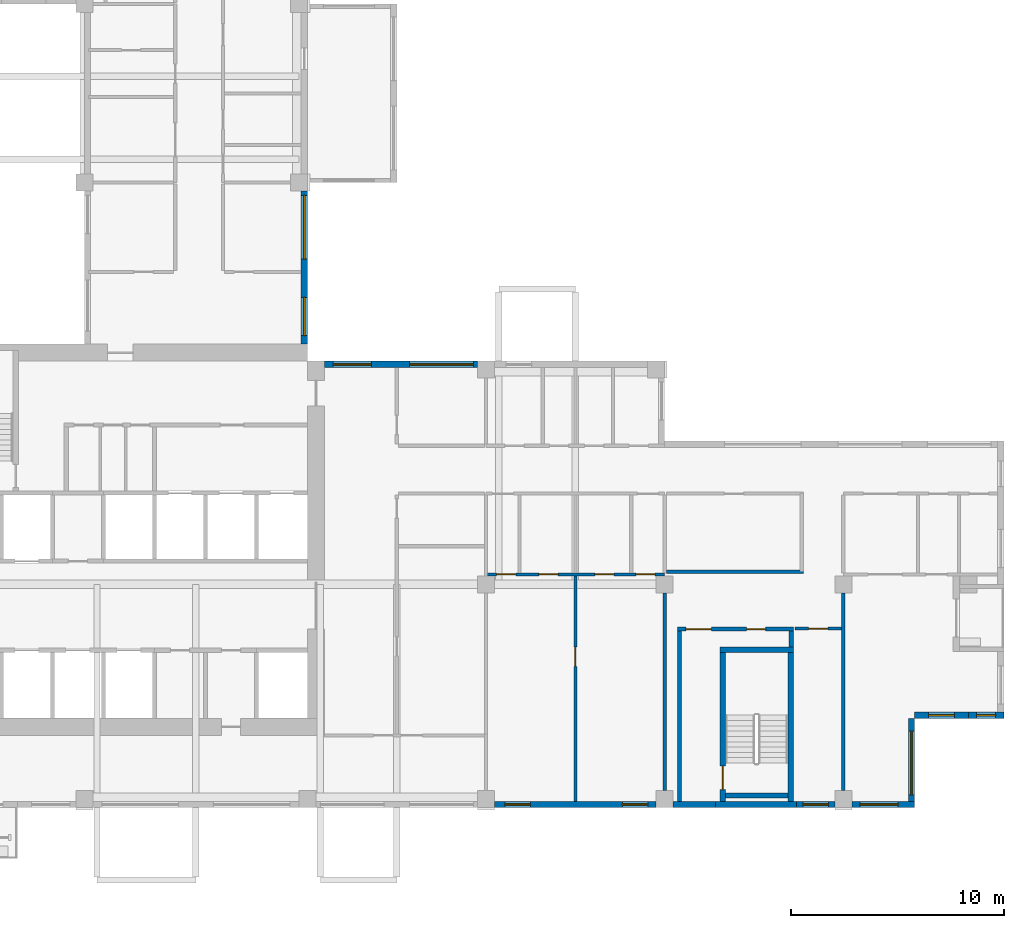
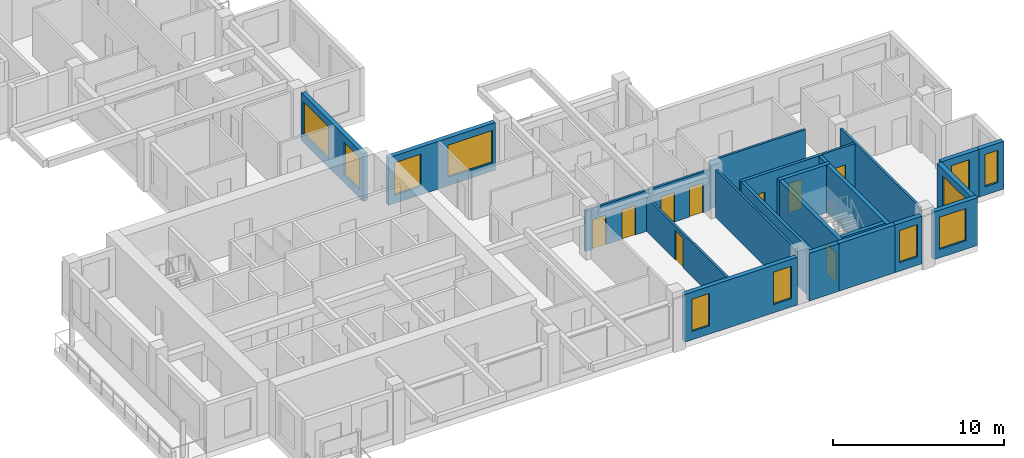
# One storey, part 4 of 12: 23 walls, 11 windows, 9 doors, 20 openings.
"""IFC4 building model written with IfcOpenShell, lengths in metres."""

from ifc_helpers import new_model, si_unit, direction, frame, frame_2d, origin, place, context, subcontext, project, spatial, rectangle, extrude, source, transform, mapped, material, layer, layer_set, type_object, element, fill, save


model = new_model("IFC4")

# Units and contexts
model_context = context("Model", 3, precision=1e-05, world=origin(), true_north=direction((0.0, 1.0)))
body_context = subcontext(model_context, "Body", "Model", "MODEL_VIEW")
ifc_project = project(units=[si_unit("LENGTHUNIT", "METRE"), si_unit("AREAUNIT", "SQUARE_METRE"), si_unit("VOLUMEUNIT", "CUBIC_METRE"), si_unit("PLANEANGLEUNIT", "RADIAN"), si_unit("MASSUNIT", "GRAM", prefix="KILO")], contexts=[model_context])

# Site, building, storey
site_placement = place(None, origin())
site = spatial("IfcSite", under=ifc_project, at=site_placement, CompositionType="ELEMENT")
building_placement = place(site_placement, origin())
building = spatial("IfcBuilding", under=site, at=building_placement, Name="Aurelian Terraces", CompositionType="ELEMENT")
storey_placement = place(building_placement, frame((0.0, 0.0, 238.6)))
storey = spatial("IfcBuildingStorey", under=building, at=storey_placement, Name="L54", CompositionType="ELEMENT", Elevation=238.6)

# Wall, opening, window
ifc_material_1 = material(Name="Terracotta rainscreen cladding", Category="masonry")
ifc_layer_1 = layer(ifc_material_1, 0.3)
ifc_layer_set_1 = layer_set([ifc_layer_1], Name="EW-300")
wall_type_1 = type_object("IfcWallType", Name="EW-300", PredefinedType="STANDARD", material=ifc_layer_set_1)
shared_shape_1 = source(origin(), body_context, "Body", "SweptSolid", [
    extrude(rectangle(XDim=4.2, YDim=0.3, at=frame_2d((2.1, 0.0))), origin(), (0.0, 0.0, 1.0), 3.4),
])
wall_1_placement = place(storey_placement, frame((49.41, 0.0, 0.0), z_axis=(0.0, 0.0, 1.0), x_axis=(0.0, 1.0, 0.0)))
wall_1 = element("IfcWall", 1, at=wall_1_placement, inside=storey, type_object=wall_type_1, Name="External wall L54 F02.8", PredefinedType="STANDARD", context=body_context, shape_type="MappedRepresentation", body=[
    mapped(shared_shape_1, transform((0.0, 0.0, 0.0), scale=1.0)),
])
shared_shape_2 = source(origin(), body_context, "Body", "SweptSolid", [
    extrude(rectangle(XDim=3.0, YDim=2.3, at=frame_2d((1.5, 1.15))), frame((0.0, 0.16, 0.0), z_axis=(0.0, -1.0, 0.0), x_axis=(1.0, 0.0, 0.0)), (0.0, 0.0, 1.0), 0.32),
])
opening_1_placement = place(wall_1_placement, frame((0.6, 0.0, 0.6)))
opening_1 = element("IfcOpeningElement", 2, at=opening_1_placement, cuts=wall_1, Name="Opening W3023", PredefinedType="OPENING", context=body_context, shape_type="MappedRepresentation", body=[
    mapped(shared_shape_2, transform((0.0, 0.0, 0.0), scale=1.0)),
])
ifc_material_2 = material(Name="Clear glazing", Category="glass")
window_type_1 = type_object("IfcWindowType", Name="W-3000x2300", PartitioningType="SINGLE_PANEL", PredefinedType="WINDOW", material=ifc_material_2)
shared_shape_3 = source(origin(), body_context, "Body", "SweptSolid", [
    extrude(rectangle(XDim=3.0, YDim=2.3, at=frame_2d((1.5, 1.15))), frame((0.0, 0.03, 0.0), z_axis=(0.0, -1.0, 0.0), x_axis=(1.0, 0.0, 0.0)), (0.0, 0.0, 1.0), 0.06),
])
window_1_placement = place(opening_1_placement, origin())
window_1 = element("IfcWindow", 3, at=window_1_placement, inside=storey, type_object=window_type_1, Name="Window L54 L54-F02-08-0", OverallHeight=2.3, OverallWidth=3.0, PartitioningType="SINGLE_PANEL", PredefinedType="WINDOW", context=body_context, shape_type="MappedRepresentation", body=[
    mapped(shared_shape_3, transform((0.0, 0.0, 0.0), scale=1.0)),
])
fill(opening_1, window_1)

shared_shape_4 = source(origin(), body_context, "Body", "SweptSolid", [
    extrude(rectangle(XDim=2.52, YDim=0.3, at=frame_2d((1.26, 0.0))), origin(), (0.0, 0.0, 1.0), 3.4),
])
wall_2_placement = place(storey_placement, frame((49.56, 4.35, 0.0), z_axis=(0.0, 0.0, 1.0), x_axis=(1.0, 0.0, 0.0)))
wall_2 = element("IfcWall", 4, at=wall_2_placement, inside=storey, type_object=wall_type_1, Name="External wall L54 F03.9", PredefinedType="STANDARD", context=body_context, shape_type="MappedRepresentation", body=[
    mapped(shared_shape_4, transform((0.0, 0.0, 0.0), scale=1.0)),
])
shared_shape_5 = source(origin(), body_context, "Body", "SweptSolid", [
    extrude(rectangle(XDim=1.2, YDim=2.3, at=frame_2d((0.6, 1.15))), frame((0.0, 0.16, 0.0), z_axis=(0.0, -1.0, 0.0), x_axis=(1.0, 0.0, 0.0)), (0.0, 0.0, 1.0), 0.32),
])
opening_2_placement = place(wall_2_placement, frame((0.66, 0.0, 0.6)))
opening_2 = element("IfcOpeningElement", 5, at=opening_2_placement, cuts=wall_2, Name="Opening W1223", PredefinedType="OPENING", context=body_context, shape_type="MappedRepresentation", body=[
    mapped(shared_shape_5, transform((0.0, 0.0, 0.0), scale=1.0)),
])
window_type_2 = type_object("IfcWindowType", Name="W-1200x2300", PartitioningType="SINGLE_PANEL", PredefinedType="WINDOW", material=ifc_material_2)
shared_shape_6 = source(origin(), body_context, "Body", "SweptSolid", [
    extrude(rectangle(XDim=1.2, YDim=2.3, at=frame_2d((0.6, 1.15))), frame((0.0, 0.03, 0.0), z_axis=(0.0, -1.0, 0.0), x_axis=(1.0, 0.0, 0.0)), (0.0, 0.0, 1.0), 0.06),
])
window_2_placement = place(opening_2_placement, origin())
window_2 = element("IfcWindow", 6, at=window_2_placement, inside=storey, type_object=window_type_2, Name="Window L54 L54-F03-09-0", OverallHeight=2.3, OverallWidth=1.2, PartitioningType="SINGLE_PANEL", PredefinedType="WINDOW", context=body_context, shape_type="MappedRepresentation", body=[
    mapped(shared_shape_6, transform((0.0, 0.0, 0.0), scale=1.0)),
])
fill(opening_2, window_2)

shared_shape_7 = source(origin(), body_context, "Body", "SweptSolid", [
    extrude(rectangle(XDim=1.68, YDim=0.3, at=frame_2d((0.84, 0.0))), origin(), (0.0, 0.0, 1.0), 3.4),
])
wall_3_placement = place(storey_placement, frame((52.08, 4.35, 0.0), z_axis=(0.0, 0.0, 1.0), x_axis=(1.0, 0.0, 0.0)))
wall_3 = element("IfcWall", 7, at=wall_3_placement, inside=storey, type_object=wall_type_1, Name="External wall L54 F03.10", PredefinedType="STANDARD", context=body_context, shape_type="MappedRepresentation", body=[
    mapped(shared_shape_7, transform((0.0, 0.0, 0.0), scale=1.0)),
])
shared_shape_8 = source(origin(), body_context, "Body", "SweptSolid", [
    extrude(rectangle(XDim=0.9, YDim=2.3, at=frame_2d((0.45, 1.15))), frame((0.0, 0.16, 0.0), z_axis=(0.0, -1.0, 0.0), x_axis=(1.0, 0.0, 0.0)), (0.0, 0.0, 1.0), 0.32),
])
opening_3_placement = place(wall_3_placement, frame((0.39, 0.0, 0.6)))
opening_3 = element("IfcOpeningElement", 8, at=opening_3_placement, cuts=wall_3, Name="Opening W0923", PredefinedType="OPENING", context=body_context, shape_type="MappedRepresentation", body=[
    mapped(shared_shape_8, transform((0.0, 0.0, 0.0), scale=1.0)),
])
window_type_3 = type_object("IfcWindowType", Name="W-900x2300", PartitioningType="SINGLE_PANEL", PredefinedType="WINDOW", material=ifc_material_2)
shared_shape_9 = source(origin(), body_context, "Body", "SweptSolid", [
    extrude(rectangle(XDim=0.9, YDim=2.3, at=frame_2d((0.45, 1.15))), frame((0.0, 0.03, 0.0), z_axis=(0.0, -1.0, 0.0), x_axis=(1.0, 0.0, 0.0)), (0.0, 0.0, 1.0), 0.06),
])
window_3_placement = place(opening_3_placement, origin())
window_3 = element("IfcWindow", 9, at=window_3_placement, inside=storey, type_object=window_type_3, Name="Window L54 L54-F03-10-P0", OverallHeight=2.3, OverallWidth=0.9, PartitioningType="SINGLE_PANEL", PredefinedType="WINDOW", context=body_context, shape_type="MappedRepresentation", body=[
    mapped(shared_shape_9, transform((0.0, 0.0, 0.0), scale=1.0)),
])
fill(opening_3, window_3)

# Wall
ifc_material_3 = material(Name="Concrete fc' 40 MPa", Category="concrete")
ifc_layer_2 = layer(ifc_material_3, 0.3)
ifc_layer_set_2 = layer_set([ifc_layer_2], Name="STAIR BAY WALL 300")
wall_type_2 = type_object("IfcWallType", Name="STAIR BAY WALL 300", PredefinedType="SOLIDWALL", material=ifc_layer_set_2)
shared_shape_10 = source(origin(), body_context, "Body", "SweptSolid", [
    extrude(rectangle(XDim=3.8, YDim=0.3, at=frame_2d((1.9, 0.0))), origin(), (0.0, 0.0, 1.0), 3.4),
])
wall_4_placement = place(storey_placement, frame((40.2, 0.15, 0.0), z_axis=(0.0, 0.0, 1.0), x_axis=(1.0, 0.0, 0.0)))
element("IfcWall", 10, at=wall_4_placement, inside=storey, type_object=wall_type_2, Name="Stair bay wall L54 F01.6", PredefinedType="SOLIDWALL", context=body_context, shape_type="MappedRepresentation", body=[
    mapped(shared_shape_10, transform((0.0, 0.0, 0.0), scale=1.0)),
])

# Wall, openings, windows
shared_shape_11 = source(origin(), body_context, "Body", "SweptSolid", [
    extrude(rectangle(XDim=7.2, YDim=0.3, at=frame_2d((3.6, 0.0))), origin(), (0.0, 0.0, 1.0), 3.4),
])
wall_5_placement = place(storey_placement, frame((29.0, 20.85, 0.0), z_axis=(0.0, 0.0, 1.0), x_axis=(-1.0, 0.0, 0.0)))
wall_5 = element("IfcWall", 11, at=wall_5_placement, inside=storey, type_object=wall_type_1, Name="External wall L54 F07.17", PredefinedType="STANDARD", context=body_context, shape_type="MappedRepresentation", body=[
    mapped(shared_shape_11, transform((0.0, 0.0, 0.0), scale=1.0)),
])
opening_4_placement = place(wall_5_placement, frame((0.2, 0.0, 0.6)))
opening_4 = element("IfcOpeningElement", 12, at=opening_4_placement, cuts=wall_5, Name="Opening W3023", PredefinedType="OPENING", context=body_context, shape_type="MappedRepresentation", body=[
    mapped(shared_shape_2, transform((0.0, 0.0, 0.0), scale=1.0)),
])
shared_shape_12 = source(origin(), body_context, "Body", "SweptSolid", [
    extrude(rectangle(XDim=1.8, YDim=2.3, at=frame_2d((0.9, 1.15))), frame((0.0, 0.16, 0.0), z_axis=(0.0, -1.0, 0.0), x_axis=(1.0, 0.0, 0.0)), (0.0, 0.0, 1.0), 0.32),
])
opening_5_placement = place(wall_5_placement, frame((5.0, 0.0, 0.6)))
opening_5 = element("IfcOpeningElement", 13, at=opening_5_placement, cuts=wall_5, Name="Opening W1823", PredefinedType="OPENING", context=body_context, shape_type="MappedRepresentation", body=[
    mapped(shared_shape_12, transform((0.0, 0.0, 0.0), scale=1.0)),
])
window_4_placement = place(opening_4_placement, origin())
window_4 = element("IfcWindow", 14, at=window_4_placement, inside=storey, type_object=window_type_1, Name="Window L54 L54-F07-17-0", OverallHeight=2.3, OverallWidth=3.0, PartitioningType="SINGLE_PANEL", PredefinedType="WINDOW", context=body_context, shape_type="MappedRepresentation", body=[
    mapped(shared_shape_3, transform((0.0, 0.0, 0.0), scale=1.0)),
])
fill(opening_4, window_4)
window_type_4 = type_object("IfcWindowType", Name="W-1800x2300", PartitioningType="SINGLE_PANEL", PredefinedType="WINDOW", material=ifc_material_2)
shared_shape_13 = source(origin(), body_context, "Body", "SweptSolid", [
    extrude(rectangle(XDim=1.8, YDim=2.3, at=frame_2d((0.9, 1.15))), frame((0.0, 0.03, 0.0), z_axis=(0.0, -1.0, 0.0), x_axis=(1.0, 0.0, 0.0)), (0.0, 0.0, 1.0), 0.06),
])
window_5_placement = place(opening_5_placement, origin())
window_5 = element("IfcWindow", 15, at=window_5_placement, inside=storey, type_object=window_type_4, Name="Window L54 L54-F07-17-1", OverallHeight=2.3, OverallWidth=1.8, PartitioningType="SINGLE_PANEL", PredefinedType="WINDOW", context=body_context, shape_type="MappedRepresentation", body=[
    mapped(shared_shape_13, transform((0.0, 0.0, 0.0), scale=1.0)),
])
fill(opening_5, window_5)

wall_6_placement = place(storey_placement, frame((20.85, 21.8, 0.0), z_axis=(0.0, 0.0, 1.0), x_axis=(0.0, 1.0, 0.0)))
wall_6 = element("IfcWall", 16, at=wall_6_placement, inside=storey, type_object=wall_type_1, Name="External wall L54 F08.18", PredefinedType="STANDARD", context=body_context, shape_type="MappedRepresentation", body=[
    mapped(shared_shape_11, transform((0.0, 0.0, 0.0), scale=1.0)),
])
opening_6_placement = place(wall_6_placement, frame((0.4, 0.0, 0.6)))
opening_6 = element("IfcOpeningElement", 17, at=opening_6_placement, cuts=wall_6, Name="Opening W1823", PredefinedType="OPENING", context=body_context, shape_type="MappedRepresentation", body=[
    mapped(shared_shape_12, transform((0.0, 0.0, 0.0), scale=1.0)),
])
opening_7_placement = place(wall_6_placement, frame((4.0, 0.0, 0.6)))
opening_7 = element("IfcOpeningElement", 18, at=opening_7_placement, cuts=wall_6, Name="Opening W3023", PredefinedType="OPENING", context=body_context, shape_type="MappedRepresentation", body=[
    mapped(shared_shape_2, transform((0.0, 0.0, 0.0), scale=1.0)),
])
window_6_placement = place(opening_7_placement, origin())
window_6 = element("IfcWindow", 19, at=window_6_placement, inside=storey, type_object=window_type_1, Name="Window L54 L54-F08-18-1", OverallHeight=2.3, OverallWidth=3.0, PartitioningType="SINGLE_PANEL", PredefinedType="WINDOW", context=body_context, shape_type="MappedRepresentation", body=[
    mapped(shared_shape_3, transform((0.0, 0.0, 0.0), scale=1.0)),
])
fill(opening_7, window_6)
window_7_placement = place(opening_6_placement, origin())
window_7 = element("IfcWindow", 20, at=window_7_placement, inside=storey, type_object=window_type_4, Name="Window L54 L54-F08-18-0", OverallHeight=2.3, OverallWidth=1.8, PartitioningType="SINGLE_PANEL", PredefinedType="WINDOW", context=body_context, shape_type="MappedRepresentation", body=[
    mapped(shared_shape_13, transform((0.0, 0.0, 0.0), scale=1.0)),
])
fill(opening_6, window_7)

shared_shape_14 = source(origin(), body_context, "Body", "SweptSolid", [
    extrude(rectangle(XDim=7.6, YDim=0.3, at=frame_2d((3.8, 0.0))), origin(), (0.0, 0.0, 1.0), 3.4),
])
wall_7_placement = place(storey_placement, frame((29.8, 0.15, 0.0), z_axis=(0.0, 0.0, 1.0), x_axis=(1.0, 0.0, 0.0)))
wall_7 = element("IfcWall", 21, at=wall_7_placement, inside=storey, type_object=wall_type_1, Name="External wall L54 F01.5", PredefinedType="STANDARD", context=body_context, shape_type="MappedRepresentation", body=[
    mapped(shared_shape_14, transform((0.0, 0.0, 0.0), scale=1.0)),
])
opening_8_placement = place(wall_7_placement, frame((0.4875, 0.0, 0.6)))
opening_8 = element("IfcOpeningElement", 22, at=opening_8_placement, cuts=wall_7, Name="Opening W1223", PredefinedType="OPENING", context=body_context, shape_type="MappedRepresentation", body=[
    mapped(shared_shape_5, transform((0.0, 0.0, 0.0), scale=1.0)),
])
opening_9_placement = place(wall_7_placement, frame((6.0125, 0.0, 0.6)))
opening_9 = element("IfcOpeningElement", 23, at=opening_9_placement, cuts=wall_7, Name="Opening W1223", PredefinedType="OPENING", context=body_context, shape_type="MappedRepresentation", body=[
    mapped(shared_shape_5, transform((0.0, 0.0, 0.0), scale=1.0)),
])
window_8_placement = place(opening_8_placement, origin())
window_8 = element("IfcWindow", 24, at=window_8_placement, inside=storey, type_object=window_type_2, Name="Window L54 L54-F01-05-0", OverallHeight=2.3, OverallWidth=1.2, PartitioningType="SINGLE_PANEL", PredefinedType="WINDOW", context=body_context, shape_type="MappedRepresentation", body=[
    mapped(shared_shape_6, transform((0.0, 0.0, 0.0), scale=1.0)),
])
fill(opening_8, window_8)
window_9_placement = place(opening_9_placement, origin())
window_9 = element("IfcWindow", 25, at=window_9_placement, inside=storey, type_object=window_type_2, Name="Window L54 L54-F01-05-1", OverallHeight=2.3, OverallWidth=1.2, PartitioningType="SINGLE_PANEL", PredefinedType="WINDOW", context=body_context, shape_type="MappedRepresentation", body=[
    mapped(shared_shape_6, transform((0.0, 0.0, 0.0), scale=1.0)),
])
fill(opening_9, window_9)

# Wall, opening, window
shared_shape_15 = source(origin(), body_context, "Body", "SweptSolid", [
    extrude(rectangle(XDim=2.96, YDim=0.3, at=frame_2d((1.48, 0.0))), origin(), (0.0, 0.0, 1.0), 3.4),
])
wall_8_placement = place(storey_placement, frame((46.6, 0.15, 0.0), z_axis=(0.0, 0.0, 1.0), x_axis=(1.0, 0.0, 0.0)))
wall_8 = element("IfcWall", 26, at=wall_8_placement, inside=storey, type_object=wall_type_1, Name="External wall L54 F01.7", PredefinedType="STANDARD", context=body_context, shape_type="MappedRepresentation", body=[
    mapped(shared_shape_15, transform((0.0, 0.0, 0.0), scale=1.0)),
])
opening_10_placement = place(wall_8_placement, frame((0.38, 0.0, 0.6)))
opening_10 = element("IfcOpeningElement", 27, at=opening_10_placement, cuts=wall_8, Name="Opening W1823", PredefinedType="OPENING", context=body_context, shape_type="MappedRepresentation", body=[
    mapped(shared_shape_12, transform((0.0, 0.0, 0.0), scale=1.0)),
])
window_10_placement = place(opening_10_placement, origin())
window_10 = element("IfcWindow", 28, at=window_10_placement, inside=storey, type_object=window_type_4, Name="Window L54 L54-F01-07-0", OverallHeight=2.3, OverallWidth=1.8, PartitioningType="SINGLE_PANEL", PredefinedType="WINDOW", context=body_context, shape_type="MappedRepresentation", body=[
    mapped(shared_shape_13, transform((0.0, 0.0, 0.0), scale=1.0)),
])
fill(opening_10, window_10)

# Wall
shared_shape_16 = source(origin(), body_context, "Body", "SweptSolid", [
    extrude(rectangle(XDim=2.0, YDim=0.3, at=frame_2d((1.0, 0.0))), origin(), (0.0, 0.0, 1.0), 3.4),
])
wall_9_placement = place(storey_placement, frame((38.2, 0.15, 0.0), z_axis=(0.0, 0.0, 1.0), x_axis=(1.0, 0.0, 0.0)))
element("IfcWall", 29, at=wall_9_placement, inside=storey, type_object=wall_type_1, Name="External wall L54 F01.6", PredefinedType="STANDARD", context=body_context, shape_type="MappedRepresentation", body=[
    mapped(shared_shape_16, transform((0.0, 0.0, 0.0), scale=1.0)),
])

# Wall, opening, window
shared_shape_17 = source(origin(), body_context, "Body", "SweptSolid", [
    extrude(rectangle(XDim=1.8, YDim=0.3, at=frame_2d((0.9, 0.0))), origin(), (0.0, 0.0, 1.0), 3.4),
])
wall_10_placement = place(storey_placement, frame((44.0, 0.15, 0.0), z_axis=(0.0, 0.0, 1.0), x_axis=(1.0, 0.0, 0.0)))
wall_10 = element("IfcWall", 30, at=wall_10_placement, inside=storey, type_object=wall_type_1, Name="External wall L54 F01.6", PredefinedType="STANDARD", context=body_context, shape_type="MappedRepresentation", body=[
    mapped(shared_shape_17, transform((0.0, 0.0, 0.0), scale=1.0)),
])
opening_11_placement = place(wall_10_placement, frame((0.3, 0.0, 0.6)))
opening_11 = element("IfcOpeningElement", 31, at=opening_11_placement, cuts=wall_10, Name="Opening W1223", PredefinedType="OPENING", context=body_context, shape_type="MappedRepresentation", body=[
    mapped(shared_shape_5, transform((0.0, 0.0, 0.0), scale=1.0)),
])
window_11_placement = place(opening_11_placement, origin())
window_11 = element("IfcWindow", 32, at=window_11_placement, inside=storey, type_object=window_type_2, Name="Window L54 L54-F01-06-P2", OverallHeight=2.3, OverallWidth=1.2, PartitioningType="SINGLE_PANEL", PredefinedType="WINDOW", context=body_context, shape_type="MappedRepresentation", body=[
    mapped(shared_shape_6, transform((0.0, 0.0, 0.0), scale=1.0)),
])
fill(opening_11, window_11)

# Wall, opening, door
ifc_layer_3 = layer(ifc_material_3, 0.25)
ifc_layer_set_3 = layer_set([ifc_layer_3], Name="Stair enclosure wall 250")
wall_type_3 = type_object("IfcWallType", Name="Stair enclosure wall 250", PredefinedType="SOLIDWALL", material=ifc_layer_set_3)
shared_shape_18 = source(origin(), body_context, "Body", "SweptSolid", [
    extrude(rectangle(XDim=7.0, YDim=0.25, at=frame_2d((3.5, 0.0))), origin(), (0.0, 0.0, 1.0), 3.4),
])
wall_11_placement = place(storey_placement, frame((40.525, 0.3, 0.0), z_axis=(0.0, 0.0, 1.0), x_axis=(0.0, 1.0, 0.0)))
wall_11 = element("IfcWall", 33, at=wall_11_placement, inside=storey, type_object=wall_type_3, Name="L54 core wall ST-S2-W", PredefinedType="SOLIDWALL", context=body_context, shape_type="MappedRepresentation", body=[
    mapped(shared_shape_18, transform((0.0, 0.0, 0.0), scale=1.0)),
])
shared_shape_19 = source(origin(), body_context, "Body", "SweptSolid", [
    extrude(rectangle(XDim=1.1, YDim=2.1, at=frame_2d((0.55, 1.05))), frame((0.0, 0.135, 0.0), z_axis=(0.0, -1.0, 0.0), x_axis=(1.0, 0.0, 0.0)), (0.0, 0.0, 1.0), 0.27),
])
opening_12_placement = place(wall_11_placement, frame((0.55, 0.0, 0.0)))
opening_12 = element("IfcOpeningElement", 34, at=opening_12_placement, cuts=wall_11, Name="Opening 65717", PredefinedType="OPENING", context=body_context, shape_type="MappedRepresentation", body=[
    mapped(shared_shape_19, transform((0.0, 0.0, 0.0), scale=1.0)),
])
ifc_material_4 = material(Name="Steel door leaf", Category="steel")
door_type_1 = type_object("IfcDoorType", Name="Core fire door 1100x2100", OperationType="SINGLE_SWING_LEFT", PredefinedType="DOOR", material=ifc_material_4)
shared_shape_20 = source(origin(), body_context, "Body", "SweptSolid", [
    extrude(rectangle(XDim=1.1, YDim=2.1, at=frame_2d((0.55, 1.05))), frame((0.0, 0.025, 0.0), z_axis=(0.0, -1.0, 0.0), x_axis=(1.0, 0.0, 0.0)), (0.0, 0.0, 1.0), 0.05),
])
door_1_placement = place(opening_12_placement, origin())
door_1 = element("IfcDoor", 35, at=door_1_placement, inside=storey, type_object=door_type_1, Name="Stair door 65717", OperationType="SINGLE_SWING_LEFT", OverallHeight=2.1, OverallWidth=1.1, PredefinedType="DOOR", context=body_context, shape_type="MappedRepresentation", body=[
    mapped(shared_shape_20, transform((0.0, 0.0, 0.0), scale=1.0)),
])
fill(opening_12, door_1)

# Walls
wall_12_placement = place(storey_placement, frame((43.725, 0.3, 0.0), z_axis=(0.0, 0.0, 1.0), x_axis=(0.0, 1.0, 0.0)))
element("IfcWall", 36, at=wall_12_placement, inside=storey, type_object=wall_type_3, Name="L54 core wall ST-S2-E", PredefinedType="SOLIDWALL", context=body_context, shape_type="MappedRepresentation", body=[
    mapped(shared_shape_18, transform((0.0, 0.0, 0.0), scale=1.0)),
])
shared_shape_21 = source(origin(), body_context, "Body", "SweptSolid", [
    extrude(rectangle(XDim=3.45, YDim=0.25, at=frame_2d((1.725, 0.0))), origin(), (0.0, 0.0, 1.0), 3.4),
])
wall_13_placement = place(storey_placement, frame((40.4, 7.425, 0.0), z_axis=(0.0, 0.0, 1.0), x_axis=(1.0, 0.0, 0.0)))
element("IfcWall", 37, at=wall_13_placement, inside=storey, type_object=wall_type_3, Name="L54 core wall ST-S2-N", PredefinedType="SOLIDWALL", context=body_context, shape_type="MappedRepresentation", body=[
    mapped(shared_shape_21, transform((0.0, 0.0, 0.0), scale=1.0)),
])
shared_shape_22 = source(origin(), body_context, "Body", "SweptSolid", [
    extrude(rectangle(XDim=2.95, YDim=0.25, at=frame_2d((1.475, 0.0))), origin(), (0.0, 0.0, 1.0), 3.4),
])
wall_14_placement = place(storey_placement, frame((40.65, 0.575, 0.0), z_axis=(0.0, 0.0, 1.0), x_axis=(1.0, 0.0, 0.0)))
element("IfcWall", 38, at=wall_14_placement, inside=storey, type_object=wall_type_3, Name="L54 core wall ST-S2-SS", PredefinedType="SOLIDWALL", context=body_context, shape_type="MappedRepresentation", body=[
    mapped(shared_shape_22, transform((0.0, 0.0, 0.0), scale=1.0)),
])

# Wall, openings, doors
ifc_material_5 = material(Name="Gypsum board on steel studs", Category="steel")
ifc_layer_4 = layer(ifc_material_5, 0.2)
ifc_layer_set_4 = layer_set([ifc_layer_4], Name="Core partition 200")
wall_type_4 = type_object("IfcWallType", Name="Core partition 200", PredefinedType="PARTITIONING", material=ifc_layer_set_4)
shared_shape_23 = source(origin(), body_context, "Body", "SweptSolid", [
    extrude(rectangle(XDim=5.45, YDim=0.2, at=frame_2d((2.725, 0.0))), origin(), (0.0, 0.0, 1.0), 3.4),
])
wall_15_placement = place(storey_placement, frame((38.4, 8.4, 0.0), z_axis=(0.0, 0.0, 1.0), x_axis=(1.0, 0.0, 0.0)))
wall_15 = element("IfcWall", 39, at=wall_15_placement, inside=storey, type_object=wall_type_4, Name="L54 core wall ST-S2-BN", PredefinedType="PARTITIONING", context=body_context, shape_type="MappedRepresentation", body=[
    mapped(shared_shape_23, transform((0.0, 0.0, 0.0), scale=1.0)),
])
shared_shape_24 = source(origin(), body_context, "Body", "SweptSolid", [
    extrude(rectangle(XDim=1.2, YDim=2.1, at=frame_2d((0.6, 1.05))), frame((0.0, 0.11, 0.0), z_axis=(0.0, -1.0, 0.0), x_axis=(1.0, 0.0, 0.0)), (0.0, 0.0, 1.0), 0.22),
])
opening_13_placement = place(wall_15_placement, frame((0.4, 0.0, 0.0)))
opening_13 = element("IfcOpeningElement", 40, at=opening_13_placement, cuts=wall_15, Name="Opening 65718", PredefinedType="OPENING", context=body_context, shape_type="MappedRepresentation", body=[
    mapped(shared_shape_24, transform((0.0, 0.0, 0.0), scale=1.0)),
])
shared_shape_25 = source(origin(), body_context, "Body", "SweptSolid", [
    extrude(rectangle(XDim=0.9, YDim=2.1, at=frame_2d((0.45, 1.05))), frame((0.0, 0.11, 0.0), z_axis=(0.0, -1.0, 0.0), x_axis=(1.0, 0.0, 0.0)), (0.0, 0.0, 1.0), 0.22),
])
opening_14_placement = place(wall_15_placement, frame((3.25, 0.0, 0.0)))
opening_14 = element("IfcOpeningElement", 41, at=opening_14_placement, cuts=wall_15, Name="Opening 65719", PredefinedType="OPENING", context=body_context, shape_type="MappedRepresentation", body=[
    mapped(shared_shape_25, transform((0.0, 0.0, 0.0), scale=1.0)),
])
door_type_2 = type_object("IfcDoorType", Name="Core riser door 900x2100", OperationType="SINGLE_SWING_LEFT", PredefinedType="DOOR", material=ifc_material_4)
shared_shape_26 = source(origin(), body_context, "Body", "SweptSolid", [
    extrude(rectangle(XDim=0.9, YDim=2.1, at=frame_2d((0.45, 1.05))), frame((0.0, 0.025, 0.0), z_axis=(0.0, -1.0, 0.0), x_axis=(1.0, 0.0, 0.0)), (0.0, 0.0, 1.0), 0.05),
])
door_2_placement = place(opening_14_placement, origin())
door_2 = element("IfcDoor", 42, at=door_2_placement, inside=storey, type_object=door_type_2, Name="Riser door 65719", OperationType="SINGLE_SWING_LEFT", OverallHeight=2.1, OverallWidth=0.9, PredefinedType="DOOR", context=body_context, shape_type="MappedRepresentation", body=[
    mapped(shared_shape_26, transform((0.0, 0.0, 0.0), scale=1.0)),
])
fill(opening_14, door_2)
door_type_3 = type_object("IfcDoorType", Name="Core fire door 1200x2100 right", OperationType="SINGLE_SWING_RIGHT", PredefinedType="DOOR", material=ifc_material_4)
shared_shape_27 = source(origin(), body_context, "Body", "SweptSolid", [
    extrude(rectangle(XDim=1.2, YDim=2.1, at=frame_2d((0.6, 1.05))), frame((0.0, 0.025, 0.0), z_axis=(0.0, -1.0, 0.0), x_axis=(1.0, 0.0, 0.0)), (0.0, 0.0, 1.0), 0.05),
])
door_3_placement = place(opening_13_placement, origin())
door_3 = element("IfcDoor", 43, at=door_3_placement, inside=storey, type_object=door_type_3, Name="Vestibule door 65718", OperationType="SINGLE_SWING_RIGHT", OverallHeight=2.1, OverallWidth=1.2, PredefinedType="DOOR", context=body_context, shape_type="MappedRepresentation", body=[
    mapped(shared_shape_27, transform((0.0, 0.0, 0.0), scale=1.0)),
])
fill(opening_13, door_3)

# Walls
shared_shape_28 = source(origin(), body_context, "Body", "SweptSolid", [
    extrude(rectangle(XDim=0.75, YDim=0.2, at=frame_2d((0.375, 0.0))), origin(), (0.0, 0.0, 1.0), 3.4),
])
wall_16_placement = place(storey_placement, frame((43.75, 7.55, 0.0), z_axis=(0.0, 0.0, 1.0), x_axis=(0.0, 1.0, 0.0)))
element("IfcWall", 44, at=wall_16_placement, inside=storey, type_object=wall_type_4, Name="L54 core wall ST-S2-RE", PredefinedType="PARTITIONING", context=body_context, shape_type="MappedRepresentation", body=[
    mapped(shared_shape_28, transform((0.0, 0.0, 0.0), scale=1.0)),
])
shared_shape_29 = source(origin(), body_context, "Body", "SweptSolid", [
    extrude(rectangle(XDim=8.0, YDim=0.2, at=frame_2d((4.0, 0.0))), origin(), (0.0, 0.0, 1.0), 3.4),
])
wall_17_placement = place(storey_placement, frame((38.5, 0.3, 0.0), z_axis=(0.0, 0.0, 1.0), x_axis=(0.0, 1.0, 0.0)))
element("IfcWall", 45, at=wall_17_placement, inside=storey, type_object=wall_type_4, Name="L54 core wall ST-S2-VW", PredefinedType="PARTITIONING", context=body_context, shape_type="MappedRepresentation", body=[
    mapped(shared_shape_29, transform((0.0, 0.0, 0.0), scale=1.0)),
])
ifc_layer_5 = layer(ifc_material_5, 0.15)
ifc_layer_set_5 = layer_set([ifc_layer_5], Name="Partition 150")
wall_type_5 = type_object("IfcWallType", Name="Partition 150", PredefinedType="PARTITIONING", material=ifc_layer_set_5)
shared_shape_30 = source(origin(), body_context, "Body", "SweptSolid", [
    extrude(rectangle(XDim=6.45, YDim=0.15, at=frame_2d((3.225, 0.0))), origin(), (0.0, 0.0, 1.0), 3.4),
])
wall_18_placement = place(storey_placement, frame((37.875, 11.1, 0.0), z_axis=(0.0, 0.0, 1.0), x_axis=(1.0, 0.0, 0.0)))
element("IfcWall", 46, at=wall_18_placement, inside=storey, type_object=wall_type_5, Name="Partition", PredefinedType="PARTITIONING", context=body_context, shape_type="MappedRepresentation", body=[
    mapped(shared_shape_30, transform((0.0, 0.0, 0.0), scale=1.0)),
])

# Wall, opening, door
shared_shape_31 = source(origin(), body_context, "Body", "SweptSolid", [
    extrude(rectangle(XDim=2.2, YDim=0.15, at=frame_2d((1.1, 0.0))), origin(), (0.0, 0.0, 1.0), 3.4),
])
wall_19_placement = place(storey_placement, frame((46.125, 8.425, 0.0), z_axis=(0.0, 0.0, 1.0), x_axis=(-1.0, 0.0, 0.0)))
wall_19 = element("IfcWall", 47, at=wall_19_placement, inside=storey, type_object=wall_type_5, Name="Partition", PredefinedType="PARTITIONING", context=body_context, shape_type="MappedRepresentation", body=[
    mapped(shared_shape_31, transform((0.0, 0.0, 0.0), scale=1.0)),
])
shared_shape_32 = source(origin(), body_context, "Body", "SweptSolid", [
    extrude(rectangle(XDim=0.9, YDim=2.1, at=frame_2d((0.45, 1.05))), frame((0.0, 0.085, 0.0), z_axis=(0.0, -1.0, 0.0), x_axis=(1.0, 0.0, 0.0)), (0.0, 0.0, 1.0), 0.17),
])
opening_15_placement = place(wall_19_placement, frame((0.65, 0.0, 0.0)))
opening_15 = element("IfcOpeningElement", 48, at=opening_15_placement, cuts=wall_19, Name="Opening 754006", PredefinedType="OPENING", context=body_context, shape_type="MappedRepresentation", body=[
    mapped(shared_shape_32, transform((0.0, 0.0, 0.0), scale=1.0)),
])
ifc_material_6 = material(Name="Timber door leaf", Category="wood")
door_type_4 = type_object("IfcDoorType", Name="Room door 900x2100 right", OperationType="SINGLE_SWING_RIGHT", PredefinedType="DOOR", material=ifc_material_6)
door_4_placement = place(opening_15_placement, origin())
door_4 = element("IfcDoor", 49, at=door_4_placement, inside=storey, type_object=door_type_4, Name="Door 754006", OperationType="SINGLE_SWING_RIGHT", OverallHeight=2.1, OverallWidth=0.9, PredefinedType="DOOR", context=body_context, shape_type="MappedRepresentation", body=[
    mapped(shared_shape_26, transform((0.0, 0.0, 0.0), scale=1.0)),
])
fill(opening_15, door_4)

# Wall, openings, doors
shared_shape_33 = source(origin(), body_context, "Body", "SweptSolid", [
    extrude(rectangle(XDim=8.4, YDim=0.15, at=frame_2d((4.2, 0.0))), origin(), (0.0, 0.0, 1.0), 2.9),
])
wall_20_placement = place(storey_placement, frame((37.8, 10.975, 0.0), z_axis=(0.0, 0.0, 1.0), x_axis=(-1.0, 0.0, 0.0)))
wall_20 = element("IfcWall", 50, at=wall_20_placement, inside=storey, type_object=wall_type_5, Name="Partition", PredefinedType="PARTITIONING", context=body_context, shape_type="MappedRepresentation", body=[
    mapped(shared_shape_33, transform((0.0, 0.0, 0.0), scale=1.0)),
])
opening_16_placement = place(wall_20_placement, frame((7.0, 0.0, 0.0)))
opening_16 = element("IfcOpeningElement", 51, at=opening_16_placement, cuts=wall_20, Name="Opening 754008", PredefinedType="OPENING", context=body_context, shape_type="MappedRepresentation", body=[
    mapped(shared_shape_32, transform((0.0, 0.0, 0.0), scale=1.0)),
])
opening_17_placement = place(wall_20_placement, frame((5.0125, 0.0, 0.0)))
opening_17 = element("IfcOpeningElement", 52, at=opening_17_placement, cuts=wall_20, Name="Opening 754009", PredefinedType="OPENING", context=body_context, shape_type="MappedRepresentation", body=[
    mapped(shared_shape_32, transform((0.0, 0.0, 0.0), scale=1.0)),
])
opening_18_placement = place(wall_20_placement, frame((2.3875, 0.0, 0.0)))
opening_18 = element("IfcOpeningElement", 53, at=opening_18_placement, cuts=wall_20, Name="Opening 754010", PredefinedType="OPENING", context=body_context, shape_type="MappedRepresentation", body=[
    mapped(shared_shape_32, transform((0.0, 0.0, 0.0), scale=1.0)),
])
opening_19_placement = place(wall_20_placement, frame((0.46, 0.0, 0.0)))
opening_19 = element("IfcOpeningElement", 54, at=opening_19_placement, cuts=wall_20, Name="Opening 754012", PredefinedType="OPENING", context=body_context, shape_type="MappedRepresentation", body=[
    mapped(shared_shape_32, transform((0.0, 0.0, 0.0), scale=1.0)),
])
door_5_placement = place(opening_16_placement, origin())
door_5 = element("IfcDoor", 55, at=door_5_placement, inside=storey, type_object=door_type_4, Name="Door 754008", OperationType="SINGLE_SWING_RIGHT", OverallHeight=2.1, OverallWidth=0.9, PredefinedType="DOOR", context=body_context, shape_type="MappedRepresentation", body=[
    mapped(shared_shape_26, transform((0.0, 0.0, 0.0), scale=1.0)),
])
fill(opening_16, door_5)
door_type_5 = type_object("IfcDoorType", Name="Room door 900x2100 left", OperationType="SINGLE_SWING_LEFT", PredefinedType="DOOR", material=ifc_material_6)
door_6_placement = place(opening_17_placement, origin())
door_6 = element("IfcDoor", 56, at=door_6_placement, inside=storey, type_object=door_type_5, Name="Door 754009", OperationType="SINGLE_SWING_LEFT", OverallHeight=2.1, OverallWidth=0.9, PredefinedType="DOOR", context=body_context, shape_type="MappedRepresentation", body=[
    mapped(shared_shape_26, transform((0.0, 0.0, 0.0), scale=1.0)),
])
fill(opening_17, door_6)
door_7_placement = place(opening_18_placement, origin())
door_7 = element("IfcDoor", 57, at=door_7_placement, inside=storey, type_object=door_type_4, Name="Door 754010", OperationType="SINGLE_SWING_RIGHT", OverallHeight=2.1, OverallWidth=0.9, PredefinedType="DOOR", context=body_context, shape_type="MappedRepresentation", body=[
    mapped(shared_shape_26, transform((0.0, 0.0, 0.0), scale=1.0)),
])
fill(opening_18, door_7)
door_8_placement = place(opening_19_placement, origin())
door_8 = element("IfcDoor", 58, at=door_8_placement, inside=storey, type_object=door_type_4, Name="Door 754012", OperationType="SINGLE_SWING_RIGHT", OverallHeight=2.1, OverallWidth=0.9, PredefinedType="DOOR", context=body_context, shape_type="MappedRepresentation", body=[
    mapped(shared_shape_26, transform((0.0, 0.0, 0.0), scale=1.0)),
])
fill(opening_19, door_8)

# Walls
ifc_layer_6 = layer(ifc_material_5, 0.15)
ifc_layer_set_6 = layer_set([ifc_layer_6], Name="Fire partition 150")
wall_type_6 = type_object("IfcWallType", Name="Fire partition 150", PredefinedType="PARTITIONING", material=ifc_layer_set_6)
shared_shape_34 = source(origin(), body_context, "Body", "SweptSolid", [
    extrude(rectangle(XDim=9.302, YDim=0.15, at=frame_2d((4.651, 0.0))), origin(), (0.0, 0.0, 1.0), 3.4),
])
for number, where, z_axis, x_axis, name in (
    (59, (37.8, 0.799, 0.0), (0.0, 0.0, 1.0), (0.0, 1.0, 0.0), "Party wall"),
    (60, (46.2, 0.799, 0.0), (0.0, 0.0, 1.0), (0.0, 1.0, 0.0), "Party wall"),
):
    element("IfcWall", number, at=place(storey_placement, frame(where, z_axis=z_axis, x_axis=x_axis)), inside=storey, type_object=wall_type_6, Name=name, PredefinedType="PARTITIONING", context=body_context, shape_type="MappedRepresentation", body=[
        mapped(shared_shape_34, transform((0.0, 0.0, 0.0), scale=1.0)),
    ])

# Wall, opening, door
shared_shape_35 = source(origin(), body_context, "Body", "SweptSolid", [
    extrude(rectangle(XDim=10.6, YDim=0.15, at=frame_2d((5.3, 0.0))), origin(), (0.0, 0.0, 1.0), 2.4),
])
wall_21_placement = place(storey_placement, frame((33.6, 0.3, 0.0), z_axis=(0.0, 0.0, 1.0), x_axis=(0.0, 1.0, 0.0)))
wall_21 = element("IfcWall", 61, at=wall_21_placement, inside=storey, type_object=wall_type_5, Name="Partition", PredefinedType="PARTITIONING", context=body_context, shape_type="MappedRepresentation", body=[
    mapped(shared_shape_35, transform((0.0, 0.0, 0.0), scale=1.0)),
])
opening_20_placement = place(wall_21_placement, frame((6.35, 0.0, 0.0)))
opening_20 = element("IfcOpeningElement", 62, at=opening_20_placement, cuts=wall_21, Name="Opening 754013", PredefinedType="OPENING", context=body_context, shape_type="MappedRepresentation", body=[
    mapped(shared_shape_32, transform((0.0, 0.0, 0.0), scale=1.0)),
])
door_9_placement = place(opening_20_placement, origin())
door_9 = element("IfcDoor", 63, at=door_9_placement, inside=storey, type_object=door_type_5, Name="Door 754013", OperationType="SINGLE_SWING_LEFT", OverallHeight=2.1, OverallWidth=0.9, PredefinedType="DOOR", context=body_context, shape_type="MappedRepresentation", body=[
    mapped(shared_shape_26, transform((0.0, 0.0, 0.0), scale=1.0)),
])
fill(opening_20, door_9)

save(model, "model.ifc")
